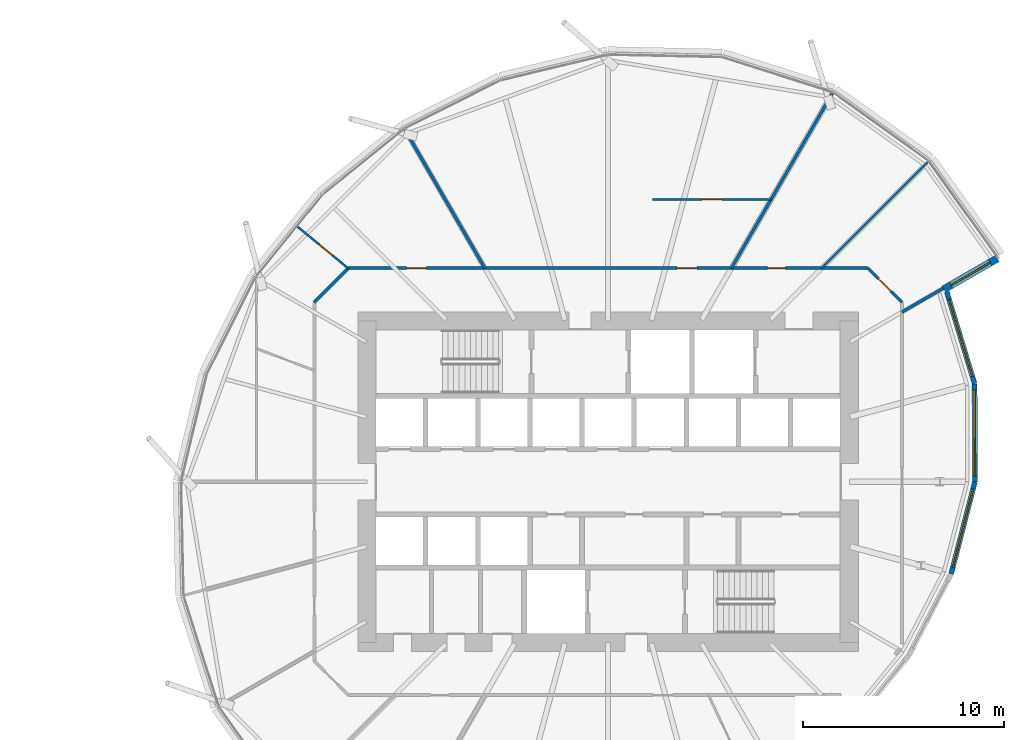
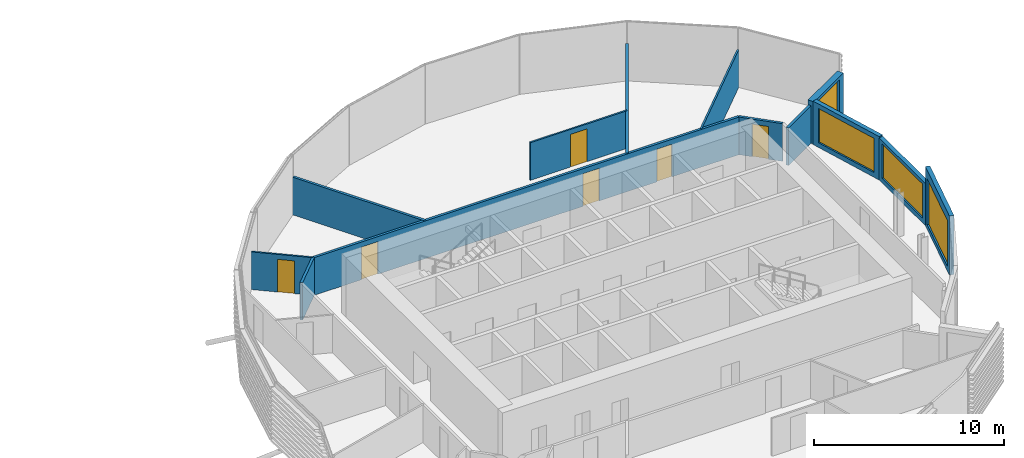
# One storey, part 25 of 38: 13 walls, 6 doors, 4 windows, 10 openings.
"""IFC4 building model written with IfcOpenShell, lengths in metres."""

from ifc_helpers import new_model, si_unit, direction, frame, frame_2d, origin, place, context, subcontext, project, spatial, rectangle, extrude, material, layer, layer_set, type_object, element, fill, save


model = new_model("IFC4")

# Units and contexts
model_context = context("Model", 3, precision=1e-05, world=origin(), true_north=direction((0.0, 1.0)))
body_context = subcontext(model_context, "Body", "Model", "MODEL_VIEW")
ifc_project = project(units=[si_unit("LENGTHUNIT", "METRE"), si_unit("AREAUNIT", "SQUARE_METRE"), si_unit("VOLUMEUNIT", "CUBIC_METRE"), si_unit("PLANEANGLEUNIT", "RADIAN"), si_unit("MASSUNIT", "GRAM", prefix="KILO")], contexts=[model_context])

# Site, building, storey
site_placement = place(None, origin())
site = spatial("IfcSite", under=ifc_project, at=site_placement, CompositionType="ELEMENT")
building_placement = place(site_placement, origin())
building = spatial("IfcBuilding", under=site, at=building_placement, Name="Rimbun Link Towers", CompositionType="ELEMENT")
storey_placement = place(building_placement, frame((0.0, 0.0, 49.0)))
storey = spatial("IfcBuildingStorey", under=building, at=storey_placement, Name="L11", CompositionType="ELEMENT", Elevation=49.0)

# Wall, opening, window
ifc_material_1 = material(Name="Dark enamelled glass spandrel on insulated aluminium backpan", Category="aluminium")
ifc_layer_1 = layer(ifc_material_1, 0.25)
ifc_layer_set_1 = layer_set([ifc_layer_1], Name="CS dark enamelled spandrel wall 250")
wall_type_1 = type_object("IfcWallType", Name="CS dark enamelled spandrel wall 250", PredefinedType="STANDARD", material=ifc_layer_set_1)
wall_1_placement = place(storey_placement, frame((50.0068359375, -0.015625, 0.0), z_axis=(0.0, 0.0, 1.0), x_axis=(-0.24995930572, -0.968256342858, 0.0)))
wall_1 = element("IfcWall", 1, at=wall_1_placement, inside=storey, type_object=wall_type_1, Name="Crease spandrel wall", PredefinedType="STANDARD", context=body_context, shape_type="SweptSolid", body=[
    extrude(rectangle(XDim=4.723388671875, YDim=0.25, at=frame_2d((2.36181640625, 0.0))), origin(), (0.0, 0.0, 1.0), 3.800048828125),
])
opening_1_placement = place(wall_1_placement, frame((0.361572265625, 0.0, 0.300048828125)))
opening_1 = element("IfcOpeningElement", 2, at=opening_1_placement, cuts=wall_1, Name="Opening WR40H295", PredefinedType="OPENING", context=body_context, shape_type="SweptSolid", body=[
    extrude(rectangle(XDim=4.0, YDim=2.949951171875, at=frame_2d((2.0, 1.47509765625))), frame((0.0, 0.135009765625, 0.0), z_axis=(0.0, -1.0, 0.0), x_axis=(1.0, 0.0, 0.0)), (0.0, 0.0, 1.0), 0.27001953125),
])
ifc_material_2 = material(Name="Aluminium framed fixed window, dark tinted low-e glass", Category="aluminium")
window_type_1 = type_object("IfcWindowType", Name="WR ribbon window 4000X2950", PartitioningType="SINGLE_PANEL", PredefinedType="WINDOW", material=ifc_material_2)
window_1_placement = place(opening_1_placement, origin())
window_1 = element("IfcWindow", 3, at=window_1_placement, inside=storey, type_object=window_type_1, Name="Crease ribbon window", OverallHeight=2.949951171875, OverallWidth=4.0, PartitioningType="SINGLE_PANEL", PredefinedType="WINDOW", context=body_context, shape_type="SweptSolid", body=[
    extrude(rectangle(XDim=4.0, YDim=2.949951171875, at=frame_2d((2.0, 1.47509765625))), frame((0.0, 0.030029296875, 0.0), z_axis=(0.0, -1.0, 0.0), x_axis=(1.0, 0.0, 0.0)), (0.0, 0.0, 1.0), 0.06005859375),
])
fill(opening_1, window_1)

wall_2_placement = place(storey_placement, frame((49.9931640625, 4.87353515625, 0.0), z_axis=(0.0, 0.0, 1.0), x_axis=(0.002796353793, -0.999996090195, 0.0)))
wall_2 = element("IfcWall", 4, at=wall_2_placement, inside=storey, type_object=wall_type_1, Name="Crease spandrel wall", PredefinedType="STANDARD", context=body_context, shape_type="SweptSolid", body=[
    extrude(rectangle(XDim=4.88916015625, YDim=0.25, at=frame_2d((2.444580078125, 0.0))), origin(), (0.0, 0.0, 1.0), 2.711669921875),
])
opening_2_placement = place(wall_2_placement, frame((0.319580078125, 0.0, 0.300048828125)))
opening_2 = element("IfcOpeningElement", 5, at=opening_2_placement, cuts=wall_2, Name="Opening WR42H220", PredefinedType="OPENING", context=body_context, shape_type="SweptSolid", body=[
    extrude(rectangle(XDim=4.25, YDim=2.199951171875, at=frame_2d((2.125, 1.10009765625))), frame((0.0, 0.135009765625, 0.0), z_axis=(0.0, -1.0, 0.0), x_axis=(1.0, 0.0, 0.0)), (0.0, 0.0, 1.0), 0.27001953125),
])
ifc_material_3 = material(Name="Aluminium framed fixed window, dark tinted low-e glass", Category="aluminium")
window_type_2 = type_object("IfcWindowType", Name="WR ribbon window 4250X2200", PartitioningType="SINGLE_PANEL", PredefinedType="WINDOW", material=ifc_material_3)
window_2_placement = place(opening_2_placement, origin())
window_2 = element("IfcWindow", 6, at=window_2_placement, inside=storey, type_object=window_type_2, Name="Crease ribbon window", OverallHeight=2.199951171875, OverallWidth=4.25, PartitioningType="SINGLE_PANEL", PredefinedType="WINDOW", context=body_context, shape_type="SweptSolid", body=[
    extrude(rectangle(XDim=4.25, YDim=2.199951171875, at=frame_2d((2.125, 1.10009765625))), frame((0.0, 0.030029296875, 0.0), z_axis=(0.0, -1.0, 0.0), x_axis=(1.0, 0.0, 0.0)), (0.0, 0.0, 1.0), 0.06005859375),
])
fill(opening_2, window_2)

wall_3_placement = place(storey_placement, frame((48.6083984375, 9.444580078125, 0.0), z_axis=(0.0, 0.0, 1.0), x_axis=(0.28993078462, -0.957047616438, 0.0)))
wall_3 = element("IfcWall", 7, at=wall_3_placement, inside=storey, type_object=wall_type_1, Name="Crease spandrel wall", PredefinedType="STANDARD", context=body_context, shape_type="SweptSolid", body=[
    extrude(rectangle(XDim=4.776123046875, YDim=0.25, at=frame_2d((2.38818359375, 0.0))), origin(), (0.0, 0.0, 1.0), 2.789306640625),
])
opening_3_placement = place(wall_3_placement, frame((0.38818359375, 0.0, 0.300048828125)))
opening_3 = element("IfcOpeningElement", 8, at=opening_3_placement, cuts=wall_3, Name="Opening WR40H220", PredefinedType="OPENING", context=body_context, shape_type="SweptSolid", body=[
    extrude(rectangle(XDim=4.0, YDim=2.199951171875, at=frame_2d((2.0, 1.10009765625))), frame((0.0, 0.135009765625, 0.0), z_axis=(0.0, -1.0, 0.0), x_axis=(1.0, 0.0, 0.0)), (0.0, 0.0, 1.0), 0.27001953125),
])
ifc_material_4 = material(Name="Aluminium framed fixed window, dark tinted low-e glass", Category="aluminium")
window_type_3 = type_object("IfcWindowType", Name="WR ribbon window 4000X2200", PartitioningType="SINGLE_PANEL", PredefinedType="WINDOW", material=ifc_material_4)
window_3_placement = place(opening_3_placement, origin())
window_3 = element("IfcWindow", 9, at=window_3_placement, inside=storey, type_object=window_type_3, Name="Crease ribbon window", OverallHeight=2.199951171875, OverallWidth=4.0, PartitioningType="SINGLE_PANEL", PredefinedType="WINDOW", context=body_context, shape_type="SweptSolid", body=[
    extrude(rectangle(XDim=4.0, YDim=2.199951171875, at=frame_2d((2.0, 1.10009765625))), frame((0.0, 0.030029296875, 0.0), z_axis=(0.0, -1.0, 0.0), x_axis=(1.0, 0.0, 0.0)), (0.0, 0.0, 1.0), 0.06005859375),
])
fill(opening_3, window_3)

ifc_material_5 = material(Name="Dark enamelled glass spandrel on insulated aluminium backpan", Category="aluminium")
ifc_layer_2 = layer(ifc_material_5, 0.3701171875)
ifc_layer_set_2 = layer_set([ifc_layer_2], Name="CS dark enamelled spandrel wall 370")
wall_type_2 = type_object("IfcWallType", Name="CS dark enamelled spandrel wall 370", PredefinedType="STANDARD", material=ifc_layer_set_2)
wall_4_placement = place(storey_placement, frame((51.12255859375, 11.10986328125, 0.0), z_axis=(0.0, 0.0, 1.0), x_axis=(-0.866010015463, -0.500026652407, 0.0)))
wall_4 = element("IfcWall", 10, at=wall_4_placement, inside=storey, type_object=wall_type_2, Name="Crease spandrel wall", PredefinedType="STANDARD", context=body_context, shape_type="SweptSolid", body=[
    extrude(rectangle(XDim=3.079833984375, YDim=0.3701171875, at=frame_2d((1.5400390625, 0.0))), origin(), (0.0, 0.0, 1.0), 2.711669921875),
])
opening_4_placement = place(wall_4_placement, frame((0.4150390625, 0.0, 0.300048828125)))
opening_4 = element("IfcOpeningElement", 11, at=opening_4_placement, cuts=wall_4, Name="Opening WR22H220", PredefinedType="OPENING", context=body_context, shape_type="SweptSolid", body=[
    extrude(rectangle(XDim=2.25, YDim=2.199951171875, at=frame_2d((1.125, 1.10009765625))), frame((0.0, 0.195068359375, 0.0), z_axis=(0.0, -1.0, 0.0), x_axis=(1.0, 0.0, 0.0)), (0.0, 0.0, 1.0), 0.39013671875),
])
ifc_material_6 = material(Name="Aluminium framed fixed window, dark tinted low-e glass", Category="aluminium")
window_type_4 = type_object("IfcWindowType", Name="WR ribbon window 2250X2200", PartitioningType="SINGLE_PANEL", PredefinedType="WINDOW", material=ifc_material_6)
window_4_placement = place(opening_4_placement, origin())
window_4 = element("IfcWindow", 12, at=window_4_placement, inside=storey, type_object=window_type_4, Name="Crease ribbon window", OverallHeight=2.199951171875, OverallWidth=2.25, PartitioningType="SINGLE_PANEL", PredefinedType="WINDOW", context=body_context, shape_type="SweptSolid", body=[
    extrude(rectangle(XDim=2.25, YDim=2.199951171875, at=frame_2d((1.125, 1.10009765625))), frame((0.0, 0.030029296875, 0.0), z_axis=(0.0, -1.0, 0.0), x_axis=(1.0, 0.0, 0.0)), (0.0, 0.0, 1.0), 0.06005859375),
])
fill(opening_4, window_4)

# Wall
ifc_material_7 = material(Name="Plasterboard on steel stud, mineral wool", Category="steel")
ifc_layer_3 = layer(ifc_material_7, 0.14990234375)
ifc_layer_set_3 = layer_set([ifc_layer_3], Name="Corridor wall EI 30 150 mm")
wall_type_3 = type_object("IfcWallType", Name="Corridor wall EI 30 150 mm", PredefinedType="PARTITIONING", material=ifc_layer_set_3)
wall_5_placement = place(storey_placement, frame((18.8232421875, 10.625, 0.0), z_axis=(0.0, 0.0, 1.0), x_axis=(-0.707106781187, -0.707106781187, 0.0)))
element("IfcWall", 13, at=wall_5_placement, inside=storey, type_object=wall_type_3, Name="Corridor wall EI 30 150 mm", PredefinedType="PARTITIONING", context=body_context, shape_type="SweptSolid", body=[
    extrude(rectangle(XDim=2.401611328125, YDim=0.14990234375, at=frame_2d((1.20068359375, 0.0))), origin(), (0.0, 0.0, 1.0), 2.419921875),
])

# Wall, openings, doors
wall_6_placement = place(storey_placement, frame((18.8232421875, 10.625, 0.0), z_axis=(0.0, 0.0, 1.0), x_axis=(1.0, 0.0, 0.0)))
wall_6 = element("IfcWall", 14, at=wall_6_placement, inside=storey, type_object=wall_type_3, Name="Corridor wall EI 30 150 mm", PredefinedType="PARTITIONING", context=body_context, shape_type="SweptSolid", body=[
    extrude(rectangle(XDim=25.853515625, YDim=0.14990234375, at=frame_2d((12.9267578125, 0.0))), origin(), (0.0, 0.0, 1.0), 2.419921875),
])
opening_5_placement = place(wall_6_placement, frame((20.8564453125, 0.0, 0.0)))
opening_5 = element("IfcOpeningElement", 15, at=opening_5_placement, cuts=wall_6, Name="Opening D02", PredefinedType="OPENING", context=body_context, shape_type="SweptSolid", body=[
    extrude(rectangle(XDim=0.89990234375, YDim=2.10009765625, at=frame_2d((0.449951171875, 1.050048828125))), frame((0.0, 0.0849609375, 0.0), z_axis=(0.0, -1.0, 0.0), x_axis=(1.0, 0.0, 0.0)), (0.0, 0.0, 1.0), 0.169921875),
])
opening_6_placement = place(wall_6_placement, frame((16.343505859375, 0.0, 0.0)))
opening_6 = element("IfcOpeningElement", 16, at=opening_6_placement, cuts=wall_6, Name="Opening D01", PredefinedType="OPENING", context=body_context, shape_type="SweptSolid", body=[
    extrude(rectangle(XDim=1.0, YDim=2.10009765625, at=frame_2d((0.5, 1.050048828125))), frame((0.0, 0.0849609375, 0.0), z_axis=(0.0, -1.0, 0.0), x_axis=(1.0, 0.0, 0.0)), (0.0, 0.0, 1.0), 0.169921875),
])
opening_7_placement = place(wall_6_placement, frame((2.896240234375, 0.0, 0.0)))
opening_7 = element("IfcOpeningElement", 17, at=opening_7_placement, cuts=wall_6, Name="Opening D01", PredefinedType="OPENING", context=body_context, shape_type="SweptSolid", body=[
    extrude(rectangle(XDim=1.0, YDim=2.10009765625, at=frame_2d((0.5, 1.050048828125))), frame((0.0, 0.0849609375, 0.0), z_axis=(0.0, -1.0, 0.0), x_axis=(1.0, 0.0, 0.0)), (0.0, 0.0, 1.0), 0.169921875),
])
ifc_material_8 = material(Name="Fire-resisting timber door leaf", Category="wood")
door_type_1 = type_object("IfcDoorType", Name="Fire door FD30S 1000", OperationType="NOTDEFINED", PredefinedType="DOOR", material=ifc_material_8)
door_1_placement = place(opening_6_placement, origin())
door_1 = element("IfcDoor", 18, at=door_1_placement, inside=storey, type_object=door_type_1, Name="Fire door FD30S 1000 to Reception", OperationType="SINGLE_SWING_LEFT", OverallHeight=2.10009765625, OverallWidth=1.0, PredefinedType="DOOR", context=body_context, shape_type="SweptSolid", body=[
    extrude(rectangle(XDim=1.0, YDim=2.10009765625, at=frame_2d((0.5, 1.050048828125))), frame((0.0, 0.02490234375, 0.0), z_axis=(0.0, -1.0, 0.0), x_axis=(1.0, 0.0, 0.0)), (0.0, 0.0, 1.0), 0.050048828125),
])
fill(opening_6, door_1)
door_2_placement = place(opening_7_placement, origin())
door_2 = element("IfcDoor", 19, at=door_2_placement, inside=storey, type_object=door_type_1, Name="Fire door FD30S 1000 to Customer lobby", OperationType="SINGLE_SWING_RIGHT", OverallHeight=2.10009765625, OverallWidth=1.0, PredefinedType="DOOR", context=body_context, shape_type="SweptSolid", body=[
    extrude(rectangle(XDim=1.0, YDim=2.10009765625, at=frame_2d((0.5, 1.050048828125))), frame((0.0, 0.02490234375, 0.0), z_axis=(0.0, -1.0, 0.0), x_axis=(1.0, 0.0, 0.0)), (0.0, 0.0, 1.0), 0.050048828125),
])
fill(opening_7, door_2)
ifc_material_9 = material(Name="Fire-resisting timber door leaf", Category="wood")
door_type_2 = type_object("IfcDoorType", Name="Fire door FD30S 900", OperationType="NOTDEFINED", PredefinedType="DOOR", material=ifc_material_9)
door_3_placement = place(opening_5_placement, origin())
door_3 = element("IfcDoor", 20, at=door_3_placement, inside=storey, type_object=door_type_2, Name="Fire door FD30S 900 to Cellular office", OperationType="SINGLE_SWING_RIGHT", OverallHeight=2.10009765625, OverallWidth=0.89990234375, PredefinedType="DOOR", context=body_context, shape_type="SweptSolid", body=[
    extrude(rectangle(XDim=0.89990234375, YDim=2.10009765625, at=frame_2d((0.449951171875, 1.050048828125))), frame((0.0, 0.02490234375, 0.0), z_axis=(0.0, -1.0, 0.0), x_axis=(1.0, 0.0, 0.0)), (0.0, 0.0, 1.0), 0.050048828125),
])
fill(opening_5, door_3)

# Wall, opening, door
wall_7_placement = place(storey_placement, frame((44.6767578125, 10.625, 0.0), z_axis=(0.0, 0.0, 1.0), x_axis=(0.707106781187, -0.707106781187, 0.0)))
wall_7 = element("IfcWall", 21, at=wall_7_placement, inside=storey, type_object=wall_type_3, Name="Corridor wall EI 30 150 mm", PredefinedType="PARTITIONING", context=body_context, shape_type="SweptSolid", body=[
    extrude(rectangle(XDim=2.401611328125, YDim=0.14990234375, at=frame_2d((1.20068359375, 0.0))), origin(), (0.0, 0.0, 1.0), 2.419921875),
])
opening_8_placement = place(wall_7_placement, frame((0.7509765625, 0.0, 0.0)))
opening_8 = element("IfcOpeningElement", 22, at=opening_8_placement, cuts=wall_7, Name="Opening D02", PredefinedType="OPENING", context=body_context, shape_type="SweptSolid", body=[
    extrude(rectangle(XDim=0.89990234375, YDim=2.10009765625, at=frame_2d((0.449951171875, 1.050048828125))), frame((0.0, 0.0849609375, 0.0), z_axis=(0.0, -1.0, 0.0), x_axis=(1.0, 0.0, 0.0)), (0.0, 0.0, 1.0), 0.169921875),
])
door_4_placement = place(opening_8_placement, origin())
door_4 = element("IfcDoor", 23, at=door_4_placement, inside=storey, type_object=door_type_2, Name="Fire door FD30S 900 to Cellular office", OperationType="SINGLE_SWING_LEFT", OverallHeight=2.10009765625, OverallWidth=0.89990234375, PredefinedType="DOOR", context=body_context, shape_type="SweptSolid", body=[
    extrude(rectangle(XDim=0.89990234375, YDim=2.10009765625, at=frame_2d((0.449951171875, 1.050048828125))), frame((0.0, 0.02490234375, 0.0), z_axis=(0.0, -1.0, 0.0), x_axis=(1.0, 0.0, 0.0)), (0.0, 0.0, 1.0), 0.050048828125),
])
fill(opening_8, door_4)

# Wall
ifc_material_10 = material(Name="Plasterboard on steel stud", Category="steel")
ifc_layer_4 = layer(ifc_material_10, 0.10009765625)
ifc_layer_set_4 = layer_set([ifc_layer_4], Name="Plasterboard partition 100 mm")
wall_type_4 = type_object("IfcWallType", Name="Plasterboard partition 100 mm", PredefinedType="PARTITIONING", material=ifc_layer_set_4)
wall_8_placement = place(storey_placement, frame((47.689453125, 15.939453125, 0.0), z_axis=(0.0, 0.0, 1.0), x_axis=(-0.707106781187, -0.707106781187, 0.0)))
element("IfcWall", 24, at=wall_8_placement, inside=storey, type_object=wall_type_4, Name="Plasterboard partition 100 mm", PredefinedType="PARTITIONING", context=body_context, shape_type="SweptSolid", body=[
    extrude(rectangle(XDim=7.515869140625, YDim=0.10009765625, at=frame_2d((3.7578125, 0.0))), origin(), (0.0, 0.0, 1.0), 2.419921875),
])

# Wall, opening, door
wall_9_placement = place(storey_placement, frame((33.965576171875, 14.044921875, 0.0), z_axis=(0.0, 0.0, 1.0), x_axis=(1.0, 0.0, 0.0)))
wall_9 = element("IfcWall", 25, at=wall_9_placement, inside=storey, type_object=wall_type_4, Name="Plasterboard partition 100 mm", PredefinedType="PARTITIONING", context=body_context, shape_type="SweptSolid", body=[
    extrude(rectangle(XDim=5.893310546875, YDim=0.10009765625, at=frame_2d((2.94677734375, 0.0))), origin(), (0.0, 0.0, 1.0), 2.419921875),
])
opening_9_placement = place(wall_9_placement, frame((2.44677734375, 0.0, 0.0)))
opening_9 = element("IfcOpeningElement", 26, at=opening_9_placement, cuts=wall_9, Name="Opening D03", PredefinedType="OPENING", context=body_context, shape_type="SweptSolid", body=[
    extrude(rectangle(XDim=1.0, YDim=2.10009765625, at=frame_2d((0.5, 1.050048828125))), frame((0.0, 0.06005859375, 0.0), z_axis=(0.0, -1.0, 0.0), x_axis=(1.0, 0.0, 0.0)), (0.0, 0.0, 1.0), 0.1201171875),
])
ifc_material_11 = material(Name="Timber door leaf", Category="wood")
door_type_3 = type_object("IfcDoorType", Name="Flush door 1000", OperationType="NOTDEFINED", PredefinedType="DOOR", material=ifc_material_11)
door_5_placement = place(opening_9_placement, origin())
door_5 = element("IfcDoor", 27, at=door_5_placement, inside=storey, type_object=door_type_3, Name="Flush door 1000 to Open office", OperationType="SINGLE_SWING_LEFT", OverallHeight=2.10009765625, OverallWidth=1.0, PredefinedType="DOOR", context=body_context, shape_type="SweptSolid", body=[
    extrude(rectangle(XDim=1.0, YDim=2.10009765625, at=frame_2d((0.5, 1.050048828125))), frame((0.0, 0.02490234375, 0.0), z_axis=(0.0, -1.0, 0.0), x_axis=(1.0, 0.0, 0.0)), (0.0, 0.0, 1.0), 0.050048828125),
])
fill(opening_9, door_5)

wall_10_placement = place(storey_placement, frame((18.816650390625, 10.618408203125, 0.0), z_axis=(0.0, 0.0, 1.0), x_axis=(-0.772933716457, 0.634486776823, 0.0)))
wall_10 = element("IfcWall", 28, at=wall_10_placement, inside=storey, type_object=wall_type_4, Name="Plasterboard partition 100 mm", PredefinedType="PARTITIONING", context=body_context, shape_type="SweptSolid", body=[
    extrude(rectangle(XDim=3.297607421875, YDim=0.10009765625, at=frame_2d((1.64892578125, 0.0))), origin(), (0.0, 0.0, 1.0), 2.419921875),
])
opening_10_placement = place(wall_10_placement, frame((0.9970703125, 0.0, 0.0)))
opening_10 = element("IfcOpeningElement", 29, at=opening_10_placement, cuts=wall_10, Name="Opening D04", PredefinedType="OPENING", context=body_context, shape_type="SweptSolid", body=[
    extrude(rectangle(XDim=0.89990234375, YDim=2.10009765625, at=frame_2d((0.449951171875, 1.050048828125))), frame((0.0, 0.06005859375, 0.0), z_axis=(0.0, -1.0, 0.0), x_axis=(1.0, 0.0, 0.0)), (0.0, 0.0, 1.0), 0.1201171875),
])
ifc_material_12 = material(Name="Timber door leaf", Category="wood")
door_type_4 = type_object("IfcDoorType", Name="Flush door 900", OperationType="NOTDEFINED", PredefinedType="DOOR", material=ifc_material_12)
door_6_placement = place(opening_10_placement, origin())
door_6 = element("IfcDoor", 30, at=door_6_placement, inside=storey, type_object=door_type_4, Name="Flush door 900 to Interview room", OperationType="SINGLE_SWING_RIGHT", OverallHeight=2.10009765625, OverallWidth=0.89990234375, PredefinedType="DOOR", context=body_context, shape_type="SweptSolid", body=[
    extrude(rectangle(XDim=0.89990234375, YDim=2.10009765625, at=frame_2d((0.449951171875, 1.050048828125))), frame((0.0, 0.02490234375, 0.0), z_axis=(0.0, -1.0, 0.0), x_axis=(1.0, 0.0, 0.0)), (0.0, 0.0, 1.0), 0.050048828125),
])
fill(opening_10, door_6)

# Walls
ifc_material_13 = material(Name="Plasterboard on steel stud, mineral wool", Category="steel")
ifc_layer_5 = layer(ifc_material_13, 0.14990234375)
ifc_layer_set_5 = layer_set([ifc_layer_5], Name="Tenancy separation wall EI 60 150 mm")
wall_type_5 = type_object("IfcWallType", Name="Tenancy separation wall EI 60 150 mm", PredefinedType="PARTITIONING", material=ifc_layer_set_5)
wall_11_placement = place(storey_placement, frame((37.884521484375, 10.625, 0.0), z_axis=(0.0, 0.0, 1.0), x_axis=(0.499987934352, 0.866032369777, 0.0)))
element("IfcWall", 31, at=wall_11_placement, inside=storey, type_object=wall_type_5, Name="Tenancy separation wall EI 60 150 mm", PredefinedType="PARTITIONING", context=body_context, shape_type="SweptSolid", body=[
    extrude(rectangle(XDim=10.083251953125, YDim=0.14990234375, at=frame_2d((5.04150390625, 0.0))), origin(), (0.0, 0.0, 1.0), 2.419921875),
])
wall_12_placement = place(storey_placement, frame((25.615478515625, 10.625, 0.0), z_axis=(0.0, 0.0, 1.0), x_axis=(-0.499977946567, 0.866038135965, 0.0)))
element("IfcWall", 32, at=wall_12_placement, inside=storey, type_object=wall_type_5, Name="Tenancy separation wall EI 60 150 mm", PredefinedType="PARTITIONING", context=body_context, shape_type="SweptSolid", body=[
    extrude(rectangle(XDim=7.995849609375, YDim=0.14990234375, at=frame_2d((3.998046875, 0.0))), origin(), (0.0, 0.0, 1.0), 2.419921875),
])
wall_13_placement = place(storey_placement, frame((46.375, 8.44384765625, 0.0), z_axis=(0.0, 0.0, 1.0), x_axis=(0.866017090885, 0.500014398087, 0.0)))
element("IfcWall", 33, at=wall_13_placement, inside=storey, type_object=wall_type_5, Name="Tenancy separation wall EI 60 150 mm", PredefinedType="PARTITIONING", context=body_context, shape_type="SweptSolid", body=[
    extrude(rectangle(XDim=2.36474609375, YDim=0.14990234375, at=frame_2d((1.182373046875, 0.0))), origin(), (0.0, 0.0, 1.0), 2.419921875),
])

save(model, "model.ifc")
